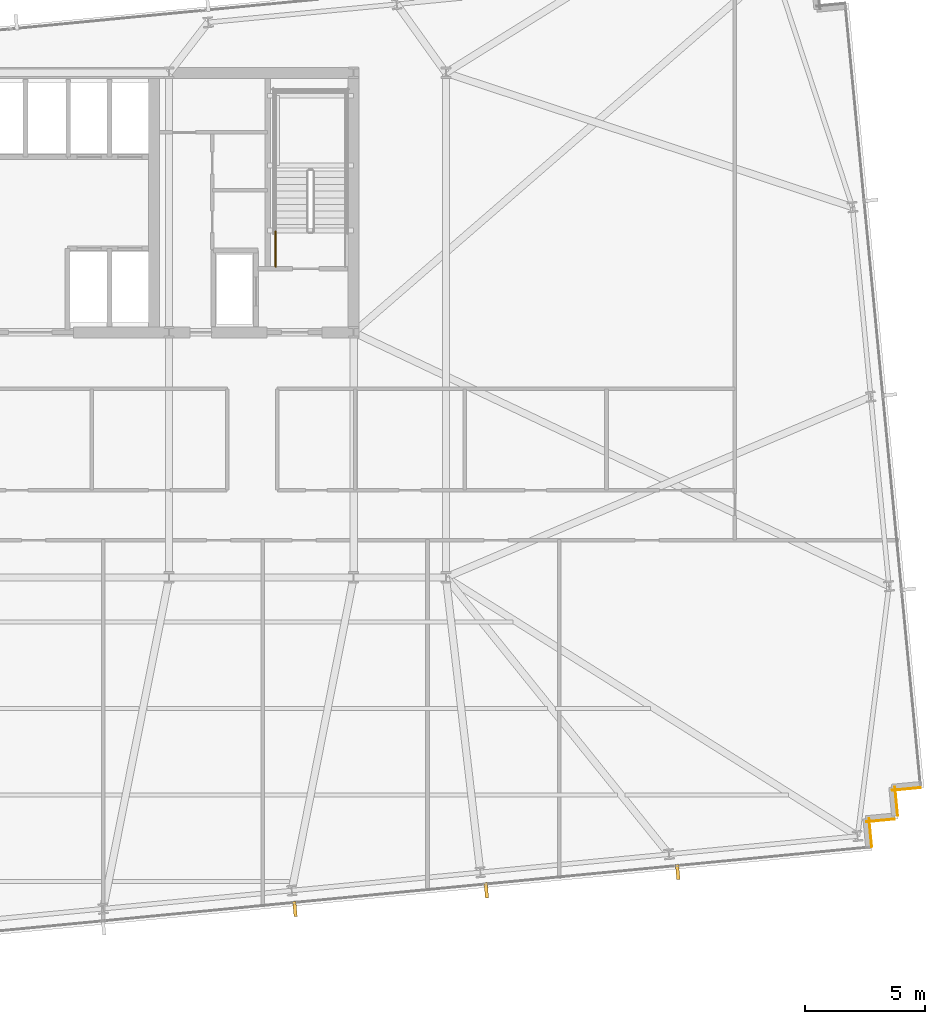
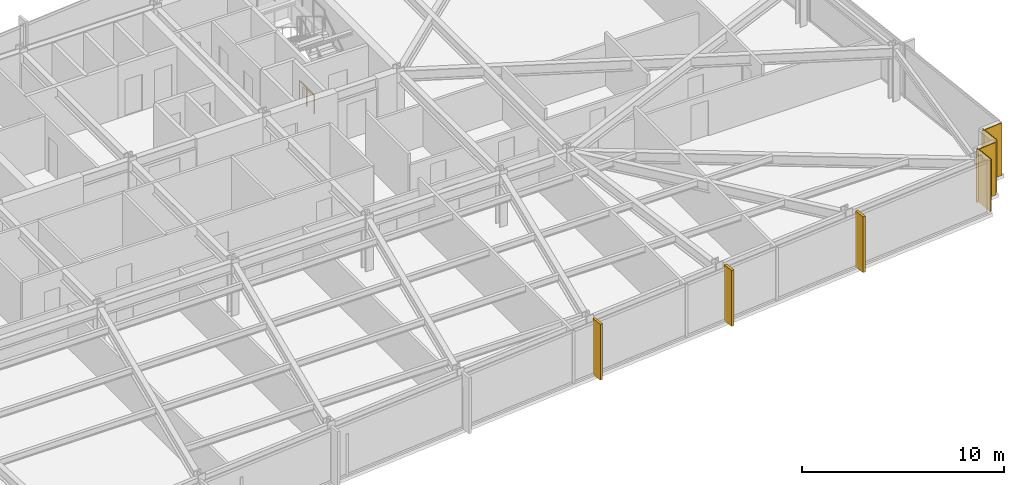
# One storey, part 30 of 33: 4 coverings, 3 shading devices, 1 railing.
"""IFC4 building model written with IfcOpenShell, lengths in metres."""

from ifc_helpers import new_model, si_unit, direction, frame, frame_2d, origin, origin_2d, place, context, subcontext, project, spatial, rectangle, circle, extrude, material, layer, layer_set, type_object, element, save


model = new_model("IFC4")

# Units and contexts
model_context = context("Model", 3, precision=1e-05, world=origin(), true_north=direction((0.0, 1.0)))
body_context = subcontext(model_context, "Body", "Model", "MODEL_VIEW")
ifc_project = project(units=[si_unit("LENGTHUNIT", "METRE"), si_unit("AREAUNIT", "SQUARE_METRE"), si_unit("VOLUMEUNIT", "CUBIC_METRE"), si_unit("PLANEANGLEUNIT", "RADIAN"), si_unit("MASSUNIT", "GRAM", prefix="KILO")], contexts=[model_context])

# Site, building, storey
site_placement = place(None, origin())
site = spatial("IfcSite", under=ifc_project, at=site_placement, CompositionType="ELEMENT")
building_placement = place(site_placement, origin())
building = spatial("IfcBuilding", under=site, at=building_placement, Name="Yelkora Congress Tower", CompositionType="ELEMENT")
storey_placement = place(building_placement, frame((0.0, 0.0, 110.10009765625)))
storey = spatial("IfcBuildingStorey", under=building, at=storey_placement, Name="L29", CompositionType="ELEMENT", Elevation=110.10009765625)

# Coverings
ifc_material_1 = material(Name="Anatolian bush-hammered limestone", Category="masonry")
ifc_layer_1 = layer(ifc_material_1, 0.0400390625)
ifc_layer_set_1 = layer_set([ifc_layer_1], Name="Anatolian bush-hammered limestone")
covering_type = type_object("IfcCoveringType", Name="COV-CLAD-SPANDREL-40", PredefinedType="CLADDING", material=ifc_layer_set_1)
for number, where, z_axis, x_axis, name in (
    (1, (77.360595703125, 16.451416015625, 0.0), (0.0, 0.0, 1.0), (-0.995377661201, -0.096038073607, 0.0), "L29 Anatolian Limestone Cladding EW-L29-SR16"),
    (2, (76.28759765625, 16.483642578125, 0.0), (0.0, 0.0, 1.0), (0.095836473879, -0.995397091755, 0.0), "L29 Anatolian Limestone Cladding EW-L29-SR17"),
    (3, (76.28125, 15.141845703125, 0.0), (0.0, 0.0, 1.0), (-0.995397091755, -0.095836473879, 0.0), "L29 Anatolian Limestone Cladding EW-L29-SR18"),
):
    element("IfcCovering", number, at=place(storey_placement, frame(where, z_axis=z_axis, x_axis=x_axis)), inside=storey, type_object=covering_type, Name=name, PredefinedType="CLADDING", context=body_context, shape_type="SweptSolid", body=[
        extrude(rectangle(XDim=1.199951171875, YDim=0.0400390625, at=frame_2d((0.60009765625, 0.0))), origin(), (0.0, 0.0, 1.0), 3.179931640625),
    ])
covering_placement = place(storey_placement, frame((75.208251953125, 15.17431640625, 0.0), z_axis=(0.0, 0.0, 1.0), x_axis=(0.095817067274, -0.995398960025, 0.0)))
element("IfcCovering", 4, at=covering_placement, inside=storey, type_object=covering_type, Name="L29 Anatolian Limestone Cladding EW-L29-SR19", PredefinedType="CLADDING", context=body_context, shape_type="SweptSolid", body=[
    extrude(rectangle(XDim=1.2001953125, YDim=0.0400390625, at=frame_2d((0.60009765625, 0.0))), origin(), (0.0, 0.0, 1.0), 3.179931640625),
])

# Railing
ifc_material_2 = material(Name="Painted galvanised steel stair well guard with vertical infill", Category="steel")
ifc_layer_2 = layer(ifc_material_2, 0.06005859375)
ifc_layer_set_2 = layer_set([ifc_layer_2], Name="Painted galvanised steel stair well guard with vertical infill")
railing_type = type_object("IfcRailingType", Name="RAIL-STAIR-GUARD-1120", PredefinedType="GUARDRAIL", material=ifc_layer_set_2)
railing_placement = place(storey_placement, frame((50.510009765625, 38.1201171875, 0.0)))
element("IfcRailing", 5, at=railing_placement, inside=storey, type_object=railing_type, Name="ST-02 L29 Stair Well Guardrail 9", PredefinedType="GUARDRAIL", context=body_context, shape_type="SweptSolid", body=[
    extrude(circle(Radius=0.02392578125, at=origin_2d()), frame((0.0, 0.0, 1.09619140625), z_axis=(0.0, 1.0, 0.0), x_axis=(-1.0, 0.0, 0.0)), (0.0, 0.0, 1.0), 1.47998046875),
    extrude(circle(Radius=0.02099609375, at=origin_2d()), origin(), (0.0, 0.0, 1.0), 1.072021484375),
    extrude(circle(Radius=0.02099609375, at=origin_2d()), frame((0.0, 0.739990234375, 0.0)), (0.0, 0.0, 1.0), 1.072021484375),
    extrude(circle(Radius=0.02099609375, at=origin_2d()), frame((0.0, 1.47998046875, 0.0)), (0.0, 0.0, 1.0), 1.072021484375),
])

# Shading devices
ifc_material_3 = material(Name="Champagne anodised aluminium", Category="aluminium")
ifc_layer_3 = layer(ifc_material_3, 3.39990234375)
ifc_layer_set_3 = layer_set([ifc_layer_3], Name="Champagne anodised aluminium")
shading_device_type = type_object("IfcShadingDeviceType", Name="SHD-FIN-ALU-640", PredefinedType="USERDEFINED", material=ifc_layer_set_3)
for number, where, z_axis, x_axis, name in (
    (6, (67.247802734375, 12.94091796875, -0.030029296875), (0.0, 0.0, 1.0), (-0.995396198367, -0.09584575252, 0.0), "L29 Vertical Anodised Solar Fin 20-1"),
    (7, (59.28173828125, 12.173828125, -0.030029296875), (0.0, 0.0, 1.0), (-0.995396198367, -0.09584575252, 0.0), "L29 Vertical Anodised Solar Fin 20-2"),
    (8, (51.315673828125, 11.40673828125, -0.030029296875), (0.0, 0.0, 1.0), (-0.995396198367, -0.09584575252, 0.0), "L29 Vertical Anodised Solar Fin 20-3"),
):
    element("IfcShadingDevice", number, at=place(storey_placement, frame(where, z_axis=z_axis, x_axis=x_axis)), inside=storey, type_object=shading_device_type, Name=name, ObjectType="FIN", PredefinedType="USERDEFINED", context=body_context, shape_type="SweptSolid", body=[
        extrude(rectangle(XDim=0.139892578125, YDim=0.639892578125, at=origin_2d()), origin(), (0.0, 0.0, 1.0), 3.3798828125),
    ])

save(model, "model.ifc")
